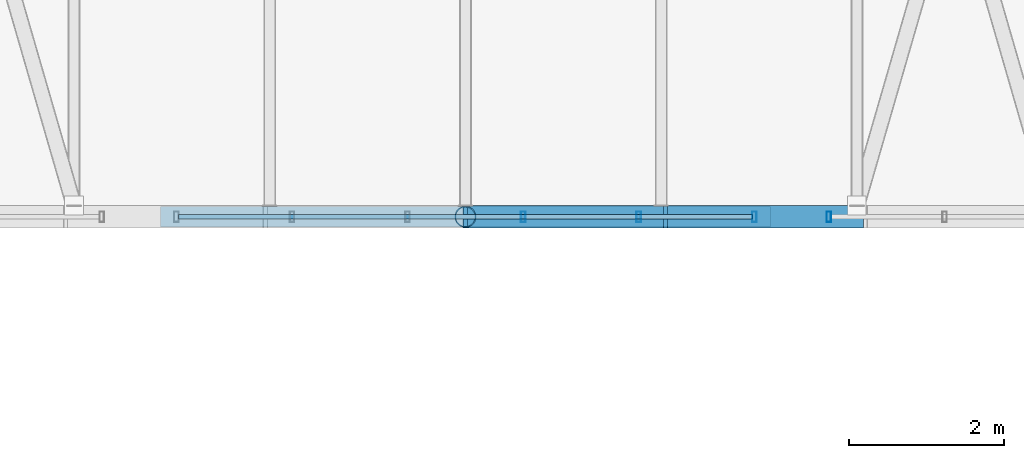
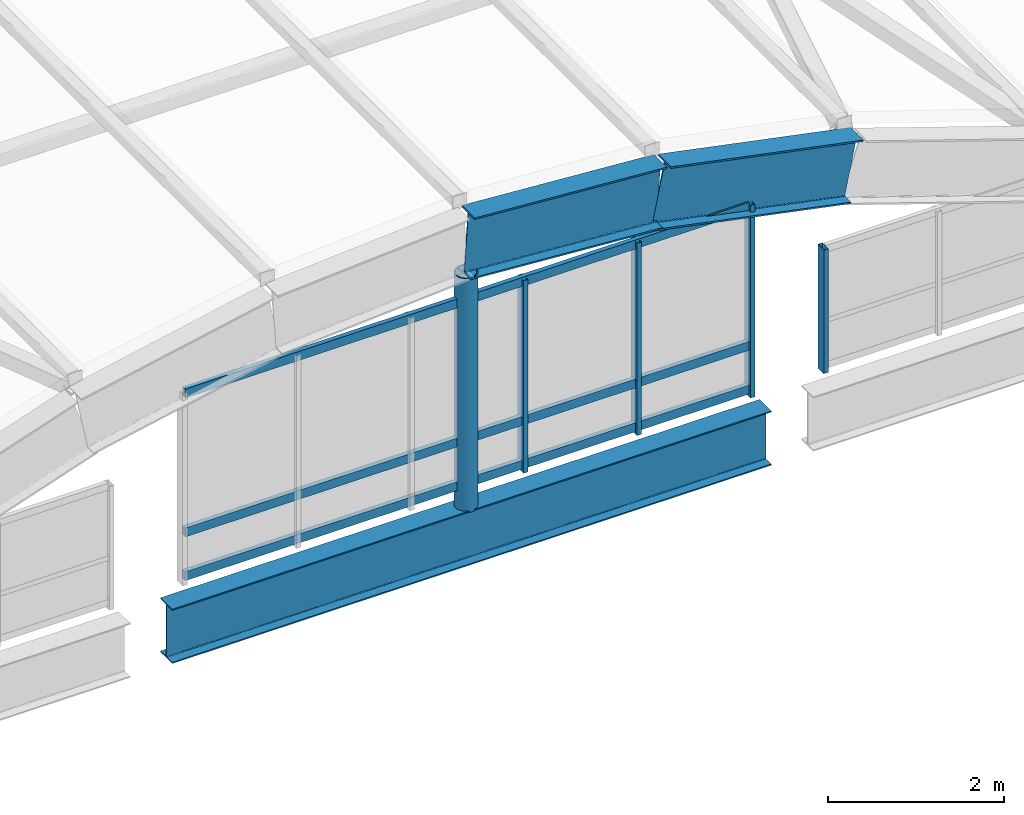
# One storey, part 65 of 107: 8 members, 3 beams, 2 elements without a shape of their own.
"""IFC4 building model written with IfcOpenShell, lengths in metres."""

from ifc_helpers import new_model, si_unit, direction, frame, origin, origin_2d, place, context, subcontext, project, spatial, hollow_rectangle, hollow_circle, i_section, extrude, material, layer, layer_set, material_profile, profile_set, type_object, element, aggregate, save


model = new_model("IFC4")

# Units and contexts
model_context = context("Model", 3, precision=1e-05, world=origin(), true_north=direction((0.0, 1.0)))
body_context = subcontext(model_context, "Body", "Model", "MODEL_VIEW")
ifc_project = project(units=[si_unit("LENGTHUNIT", "METRE"), si_unit("AREAUNIT", "SQUARE_METRE"), si_unit("VOLUMEUNIT", "CUBIC_METRE"), si_unit("PLANEANGLEUNIT", "RADIAN"), si_unit("MASSUNIT", "GRAM", prefix="KILO")], contexts=[model_context])

# Site, building, storey
site_placement = place(None, origin())
site = spatial("IfcSite", under=ifc_project, at=site_placement, CompositionType="ELEMENT")
building_placement = place(site_placement, origin())
building = spatial("IfcBuilding", under=site, at=building_placement, Name="Vireocrest Preparatory School", CompositionType="ELEMENT")
storey_placement = place(building_placement, frame((0.0, 0.0, 13.199951171875)))
storey = spatial("IfcBuildingStorey", under=building, at=storey_placement, Name="L03", CompositionType="ELEMENT", Elevation=13.199951171875)

# Beams
ifc_material_1 = material(Name="Structural steel ASTM A992 Grade 50", Category="steel")
ifc_material_profile_1 = material_profile(ifc_material_1, i_section(OverallWidth=0.2919921875, OverallDepth=0.841064453125, WebThickness=0.0146484375, FlangeThickness=0.021728515625, FilletRadius=0.02001953125, at=origin_2d()), Name="W33X130")
ifc_profile_set_1 = profile_set([ifc_material_profile_1], Name="Structural steel ASTM A992 Grade 50")
beam_type_1 = type_object("IfcBeamType", Name="Assembly Hall Barrel Vault Arch Rib W33X130", PredefinedType="BEAM", material=ifc_profile_set_1)
beam_1_placement = place(storey_placement, frame((155.39990234375, 18.0, 3.405029296875), z_axis=(0.997535619159, 0.0, -0.07016187362), x_axis=(0.0, 1.0, 0.0)))
element("IfcBeam", 1, at=beam_1_placement, inside=storey, type_object=beam_type_1, Name="Assembly Hall Barrel Vault Roof Arch Rib 1 Seg 6", PredefinedType="BEAM", context=body_context, shape_type="SweptSolid", body=[
    extrude(i_section(OverallWidth=0.2919921875, OverallDepth=0.841064453125, WebThickness=0.0146484375, FlangeThickness=0.021728515625, FilletRadius=0.02001953125, at=origin_2d()), origin(), (0.0, 0.0, 1.0), 2.5263671875),
])
beam_2_placement = place(storey_placement, frame((157.919921875, 18.0, 3.220458984375), z_axis=(0.979999472213, 0.0, -0.199000086588), x_axis=(0.0, 1.0, 0.0)))
element("IfcBeam", 2, at=beam_2_placement, inside=storey, type_object=beam_type_1, Name="Assembly Hall Barrel Vault Roof Arch Rib 1 Seg 7", PredefinedType="BEAM", context=body_context, shape_type="SweptSolid", body=[
    extrude(i_section(OverallWidth=0.2919921875, OverallDepth=0.841064453125, WebThickness=0.0146484375, FlangeThickness=0.021728515625, FilletRadius=0.02001953125, at=origin_2d()), origin(), (0.0, 0.0, 1.0), 2.571533203125),
])
ifc_material_profile_2 = material_profile(ifc_material_1, i_section(OverallWidth=0.264892578125, OverallDepth=0.7529296875, WebThickness=0.01318359375, FlangeThickness=0.01708984375, FilletRadius=0.01904296875, at=origin_2d()), Name="W30X99")
ifc_profile_set_2 = profile_set([ifc_material_profile_2], Name="Structural steel ASTM A992 Grade 50")
beam_type_2 = type_object("IfcBeamType", Name="Assembly Hall Vault Ring Beam W30X99", PredefinedType="BEAM", material=ifc_profile_set_2)
beam_3_placement = place(storey_placement, frame((151.47509765625, 18.0, -0.596435546875), z_axis=(1.0, 0.0, 0.0), x_axis=(0.0, 1.0, 0.0)))
element("IfcBeam", 3, at=beam_3_placement, inside=storey, type_object=beam_type_2, Name="Assembly Hall Barrel Vault Roof Gable Ring Beam S-2", PredefinedType="BEAM", context=body_context, shape_type="SweptSolid", body=[
    extrude(i_section(OverallWidth=0.264892578125, OverallDepth=0.7529296875, WebThickness=0.01318359375, FlangeThickness=0.01708984375, FilletRadius=0.01904296875, at=origin_2d()), origin(), (0.0, 0.0, 1.0), 7.849853515625),
])

# Curtain wall, members
ifc_material_2 = material(Name="Thermally broken aluminium EN AW-6063-T6", Category="aluminium")
ifc_layer_1 = layer(ifc_material_2, 0.179931640625)
ifc_layer_set_1 = layer_set([ifc_layer_1], Name="Thermally broken aluminium EN AW-6063-T6")
curtain_wall_type_1 = type_object("IfcCurtainWallType", Name="Vault Centre Gable Clerestory 8400x3800", PredefinedType="USERDEFINED", material=ifc_layer_set_1)
curtain_wall_1_placement = place(storey_placement, origin())
curtain_wall_1 = element("IfcCurtainWall", 4, at=curtain_wall_1_placement, inside=storey, type_object=curtain_wall_type_1, Name="Curtain Wall CW14 CW_L03_CW14_1516_0180_132", ObjectType="CURTAIN WALL", PredefinedType="USERDEFINED")
ifc_material_profile_3 = material_profile(ifc_material_2, hollow_rectangle(XDim=0.06005859375, YDim=0.135009765625, WallThickness=0.00390625, at=origin_2d()), Name="ALU 60x135x4")
ifc_profile_set_3 = profile_set([ifc_material_profile_3], Name="Thermally broken aluminium EN AW-6063-T6")
member_type_1 = type_object("IfcMemberType", Name="CW Clerestory Mullion 60x135x4", PredefinedType="MULLION", material=ifc_profile_set_3)
member_1_placement = place(storey_placement, frame((156.14404296875, 18.0, 0.0), z_axis=(0.0, 0.0, 1.0), x_axis=(1.0, 0.0, 0.0)))
member_1 = element("IfcMember", 5, at=member_1_placement, type_object=member_type_1, Name="CW Mullion ML6 CW_L03_CW14_1516_0180_132-4", PredefinedType="MULLION", context=body_context, shape_type="SweptSolid", body=[
    extrude(hollow_rectangle(XDim=0.06005859375, YDim=0.135009765625, WallThickness=0.00390625, at=origin_2d()), origin(), (0.0, 0.0, 1.0), 2.6650390625),
])
member_2_placement = place(storey_placement, frame((157.632080078125, 18.0, 0.0), z_axis=(0.0, 0.0, 1.0), x_axis=(1.0, 0.0, 0.0)))
member_2 = element("IfcMember", 6, at=member_2_placement, type_object=member_type_1, Name="CW Mullion ML6 CW_L03_CW14_1516_0180_132-5", PredefinedType="MULLION", context=body_context, shape_type="SweptSolid", body=[
    extrude(hollow_rectangle(XDim=0.06005859375, YDim=0.135009765625, WallThickness=0.00390625, at=origin_2d()), origin(), (0.0, 0.0, 1.0), 2.6650390625),
])
member_3_placement = place(storey_placement, frame((159.1201171875, 18.0, 0.0), z_axis=(0.0, 0.0, 1.0), x_axis=(1.0, 0.0, 0.0)))
member_3 = element("IfcMember", 7, at=member_3_placement, type_object=member_type_1, Name="CW Mullion ML6 CW_L03_CW14_1516_0180_132-6", PredefinedType="MULLION", context=body_context, shape_type="SweptSolid", body=[
    extrude(hollow_rectangle(XDim=0.06005859375, YDim=0.135009765625, WallThickness=0.00390625, at=origin_2d()), origin(), (0.0, 0.0, 1.0), 2.6650390625),
])

# Curtain wall, member
ifc_layer_2 = layer(ifc_material_2, 0.179931640625)
ifc_layer_set_2 = layer_set([ifc_layer_2], Name="Thermally broken aluminium EN AW-6063-T6")
curtain_wall_type_2 = type_object("IfcCurtainWallType", Name="Vault Gable Clerestory 8400x2600", PredefinedType="USERDEFINED", material=ifc_layer_set_2)
curtain_wall_2_placement = place(storey_placement, origin())
curtain_wall_2 = element("IfcCurtainWall", 8, at=curtain_wall_2_placement, inside=storey, type_object=curtain_wall_type_2, Name="Curtain Wall CW13 CW_L03_CW13_1600_0180_132", ObjectType="CURTAIN WALL", PredefinedType="USERDEFINED")
member_4_placement = place(storey_placement, frame((160.080078125, 18.0, 0.0), z_axis=(0.0, 0.0, 1.0), x_axis=(1.0, 0.0, 0.0)))
member_4 = element("IfcMember", 9, at=member_4_placement, type_object=member_type_1, Name="CW Mullion ML6 CW_L03_CW13_1600_0180_132-1", PredefinedType="MULLION", context=body_context, shape_type="SweptSolid", body=[
    extrude(hollow_rectangle(XDim=0.06005859375, YDim=0.135009765625, WallThickness=0.00390625, at=origin_2d()), origin(), (0.0, 0.0, 1.0), 1.715087890625),
])
aggregate(curtain_wall_2, [member_4])

# Member
ifc_material_profile_4 = material_profile(ifc_material_2, hollow_rectangle(XDim=0.06005859375, YDim=0.125, WallThickness=0.00390625, at=origin_2d()), Name="ALU 60x125x4")
ifc_profile_set_4 = profile_set([ifc_material_profile_4], Name="Thermally broken aluminium EN AW-6063-T6")
member_type_2 = type_object("IfcMemberType", Name="CW Clerestory Transom 60x125x4", PredefinedType="USERDEFINED", material=ifc_profile_set_4)
member_5_placement = place(storey_placement, frame((151.705078125, 18.0, 0.094970703125), z_axis=(1.0, 0.0, 0.0), x_axis=(0.0, 1.0, 0.0)))
member_5 = element("IfcMember", 10, at=member_5_placement, type_object=member_type_2, Name="CW Transom TR6 CW_L03_CW14_1516_0180_132-1", ObjectType="TRANSOM", PredefinedType="USERDEFINED", context=body_context, shape_type="SweptSolid", body=[
    extrude(hollow_rectangle(XDim=0.06005859375, YDim=0.125, WallThickness=0.00390625, at=origin_2d()), origin(), (0.0, 0.0, 1.0), 7.389892578125),
])

member_6_placement = place(storey_placement, frame((151.705078125, 18.0, 0.699951171875), z_axis=(1.0, 0.0, 0.0), x_axis=(0.0, 1.0, 0.0)))
member_6 = element("IfcMember", 11, at=member_6_placement, type_object=member_type_2, Name="CW Transom TR6 CW_L03_CW14_1516_0180_132-2", ObjectType="TRANSOM", PredefinedType="USERDEFINED", context=body_context, shape_type="SweptSolid", body=[
    extrude(hollow_rectangle(XDim=0.06005859375, YDim=0.125, WallThickness=0.00390625, at=origin_2d()), origin(), (0.0, 0.0, 1.0), 7.389892578125),
])

member_7_placement = place(storey_placement, frame((151.705078125, 18.0, 2.625), z_axis=(1.0, 0.0, 0.0), x_axis=(0.0, 1.0, 0.0)))
member_7 = element("IfcMember", 12, at=member_7_placement, type_object=member_type_2, Name="CW Transom TR6 CW_L03_CW14_1516_0180_132-3", ObjectType="TRANSOM", PredefinedType="USERDEFINED", context=body_context, shape_type="SweptSolid", body=[
    extrude(hollow_rectangle(XDim=0.06005859375, YDim=0.125, WallThickness=0.00390625, at=origin_2d()), origin(), (0.0, 0.0, 1.0), 7.389892578125),
])

aggregate(curtain_wall_1, [member_1, member_2, member_3, member_5, member_6, member_7])

ifc_material_3 = material(Name="Painted white steel ASTM A500 Grade C", Category="steel")
ifc_material_profile_5 = material_profile(ifc_material_3, hollow_circle(Radius=0.136474609375, WallThickness=0.0126953125, at=origin_2d()), Name="HSS10.750X0.500")
ifc_profile_set_5 = profile_set([ifc_material_profile_5], Name="Painted white steel ASTM A500 Grade C")
member_type_3 = type_object("IfcMemberType", Name="White Steel Clerestory Strut HSS10.750X0.500", PredefinedType="USERDEFINED", material=ifc_profile_set_5)
member_8_placement = place(storey_placement, frame((155.39990234375, 18.0, -0.239990234375), z_axis=(0.0, 0.0, 1.0), x_axis=(1.0, 0.0, 0.0)))
element("IfcMember", 13, at=member_8_placement, inside=storey, type_object=member_type_3, Name="Assembly Hall Barrel Vault Roof Gable Mullion Post 1-5", ObjectType="STRUT", PredefinedType="USERDEFINED", context=body_context, shape_type="SweptSolid", body=[
    extrude(hollow_circle(Radius=0.136474609375, WallThickness=0.0126953125, at=origin_2d()), origin(), (0.0, 0.0, 1.0), 3.24462890625),
])

save(model, "model.ifc")
